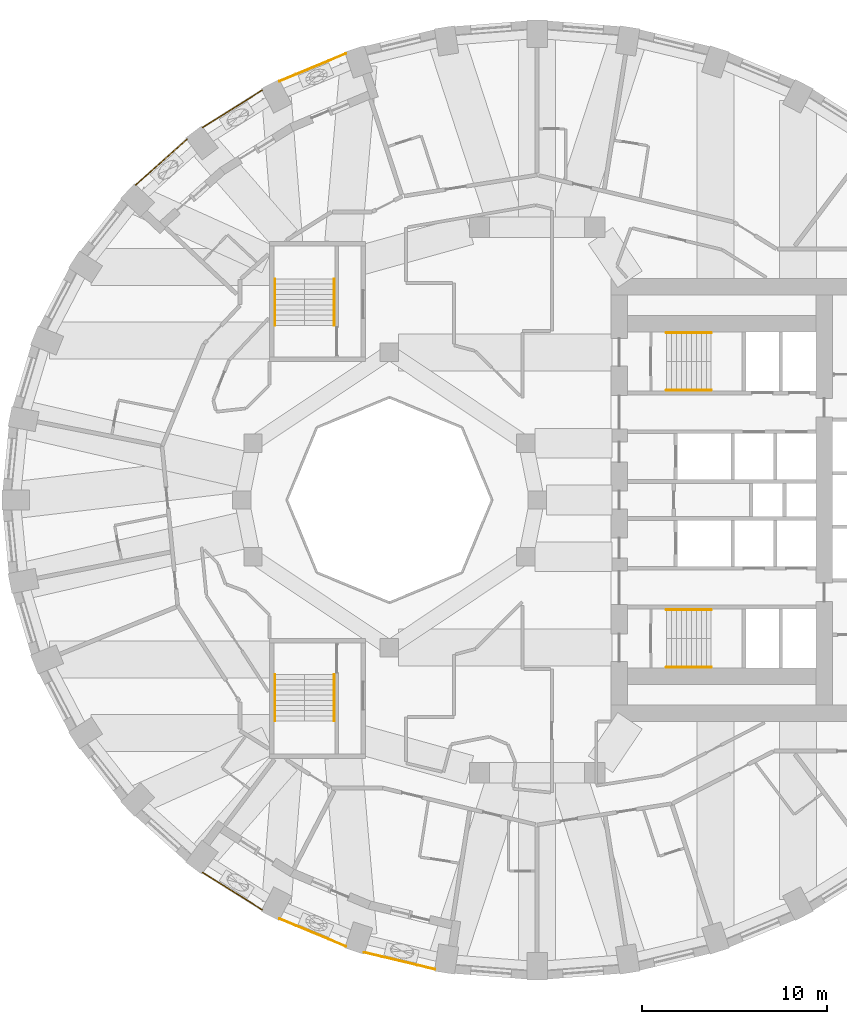
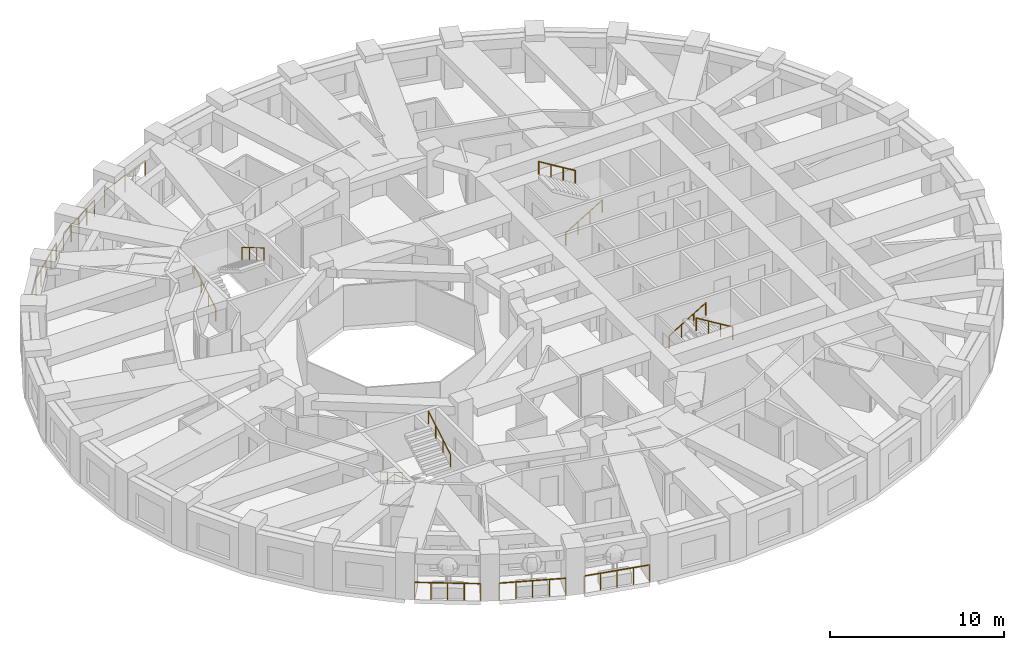
# One storey, part 11 of 13: 14 railings.
"""IFC4 building model written with IfcOpenShell, lengths in metres."""

from ifc_helpers import new_model, si_unit, direction, frame, origin, origin_2d, place, context, subcontext, project, spatial, circle, extrude, material, type_object, element, save


model = new_model("IFC4")

# Units and contexts
model_context = context("Model", 3, precision=1e-05, world=origin(), true_north=direction((0.0, 1.0)))
body_context = subcontext(model_context, "Body", "Model", "MODEL_VIEW")
ifc_project = project(units=[si_unit("LENGTHUNIT", "METRE"), si_unit("AREAUNIT", "SQUARE_METRE"), si_unit("VOLUMEUNIT", "CUBIC_METRE"), si_unit("PLANEANGLEUNIT", "RADIAN"), si_unit("MASSUNIT", "GRAM", prefix="KILO")], contexts=[model_context])

# Site, building, storey
site_placement = place(None, origin())
site = spatial("IfcSite", under=ifc_project, at=site_placement, CompositionType="ELEMENT")
building_placement = place(site_placement, origin())
building = spatial("IfcBuilding", under=site, at=building_placement, Name="Taillehof Tower", CompositionType="ELEMENT")
storey_placement = place(building_placement, frame((0.0, 0.0, 81.10009765625)))
storey = spatial("IfcBuildingStorey", under=building, at=storey_placement, Name="L22", CompositionType="ELEMENT", Elevation=81.10009765625)

# Railings
ifc_material_1 = material(Name="Stainless steel balustrade", Category="steel")
railing_type_1 = type_object("IfcRailingType", Name="Balcony guard 1200", PredefinedType="GUARDRAIL", material=ifc_material_1)
railing_1_placement = place(storey_placement, frame((-10.366943359375, 24.178466796875, 0.0)))
element("IfcRailing", 1, at=railing_1_placement, inside=storey, type_object=railing_type_1, Name="Balcony guard L22 bay 12", PredefinedType="GUARDRAIL", context=body_context, shape_type="SweptSolid", body=[
    extrude(circle(Radius=0.02392578125, at=origin_2d()), frame((0.0, 0.0, 1.17578125), z_axis=(-0.923011806559, -0.384771627011, 0.0), x_axis=(0.384771627011, -0.923011806559, 0.0)), (0.0, 0.0, 1.0), 3.88330078125),
    extrude(circle(Radius=0.02099609375, at=origin_2d()), origin(), (0.0, 0.0, 1.0), 1.15185546875),
    extrude(circle(Radius=0.02099609375, at=origin_2d()), frame((-0.89599609375, -0.37353515625, 0.0)), (0.0, 0.0, 1.0), 1.15185546875),
    extrude(circle(Radius=0.02099609375, at=origin_2d()), frame((-1.7919921875, -0.7470703125, 0.0)), (0.0, 0.0, 1.0), 1.15185546875),
    extrude(circle(Radius=0.02099609375, at=origin_2d()), frame((-2.688232421875, -1.12060546875, 0.0)), (0.0, 0.0, 1.0), 1.15185546875),
    extrude(circle(Radius=0.02099609375, at=origin_2d()), frame((-3.584228515625, -1.494140625, 0.0)), (0.0, 0.0, 1.0), 1.15185546875),
])
railing_2_placement = place(storey_placement, frame((-14.892822265625, 22.197509765625, 0.0)))
element("IfcRailing", 2, at=railing_2_placement, inside=storey, type_object=railing_type_1, Name="Balcony guard L22 bay 13", PredefinedType="GUARDRAIL", context=body_context, shape_type="SweptSolid", body=[
    extrude(circle(Radius=0.02392578125, at=origin_2d()), frame((0.0, 0.0, 1.17578125), z_axis=(-0.847656150947, -0.530545992127, 0.0), x_axis=(0.530545992127, -0.847656150947, 0.0)), (0.0, 0.0, 1.0), 3.810302734375),
    extrude(circle(Radius=0.02099609375, at=origin_2d()), origin(), (0.0, 0.0, 1.0), 1.15185546875),
    extrude(circle(Radius=0.02099609375, at=origin_2d()), frame((-0.807373046875, -0.50537109375, 0.0)), (0.0, 0.0, 1.0), 1.15185546875),
    extrude(circle(Radius=0.02099609375, at=origin_2d()), frame((-1.61474609375, -1.0107421875, 0.0)), (0.0, 0.0, 1.0), 1.15185546875),
    extrude(circle(Radius=0.02099609375, at=origin_2d()), frame((-2.42236328125, -1.51611328125, 0.0)), (0.0, 0.0, 1.0), 1.15185546875),
    extrude(circle(Radius=0.02099609375, at=origin_2d()), frame((-3.229736328125, -2.021484375, 0.0)), (0.0, 0.0, 1.0), 1.15185546875),
])
railing_3_placement = place(storey_placement, frame((-18.969970703125, 19.539306640625, 0.0)))
element("IfcRailing", 3, at=railing_3_placement, inside=storey, type_object=railing_type_1, Name="Balcony guard L22 bay 14", PredefinedType="GUARDRAIL", context=body_context, shape_type="SweptSolid", body=[
    extrude(circle(Radius=0.02392578125, at=origin_2d()), frame((0.0, 0.0, 1.17578125), z_axis=(-0.745548021299, -0.666451909696, 0.0), x_axis=(0.666451909696, -0.745548021299, 0.0)), (0.0, 0.0, 1.0), 3.7255859375),
    extrude(circle(Radius=0.02099609375, at=origin_2d()), origin(), (0.0, 0.0, 1.0), 1.15185546875),
    extrude(circle(Radius=0.02099609375, at=origin_2d()), frame((-0.6943359375, -0.62060546875, 0.0)), (0.0, 0.0, 1.0), 1.15185546875),
    extrude(circle(Radius=0.02099609375, at=origin_2d()), frame((-1.388671875, -1.241455078125, 0.0)), (0.0, 0.0, 1.0), 1.15185546875),
    extrude(circle(Radius=0.02099609375, at=origin_2d()), frame((-2.083251953125, -1.8623046875, 0.0)), (0.0, 0.0, 1.0), 1.15185546875),
    extrude(circle(Radius=0.02099609375, at=origin_2d()), frame((-2.777587890625, -2.48291015625, 0.0)), (0.0, 0.0, 1.0), 1.15185546875),
])
railing_4_placement = place(storey_placement, frame((-18.12255859375, -20.176025390625, 0.0)))
element("IfcRailing", 4, at=railing_4_placement, inside=storey, type_object=railing_type_1, Name="Balcony guard L22 bay 24", PredefinedType="GUARDRAIL", context=body_context, shape_type="SweptSolid", body=[
    extrude(circle(Radius=0.02392578125, at=origin_2d()), frame((0.0, 0.0, 1.17578125), z_axis=(0.847656150947, -0.530545992127, 0.0), x_axis=(0.530545992127, 0.847656150947, 0.0)), (0.0, 0.0, 1.0), 3.810302734375),
    extrude(circle(Radius=0.02099609375, at=origin_2d()), origin(), (0.0, 0.0, 1.0), 1.15185546875),
    extrude(circle(Radius=0.02099609375, at=origin_2d()), frame((0.807373046875, -0.50537109375, 0.0)), (0.0, 0.0, 1.0), 1.15185546875),
    extrude(circle(Radius=0.02099609375, at=origin_2d()), frame((1.61474609375, -1.0107421875, 0.0)), (0.0, 0.0, 1.0), 1.15185546875),
    extrude(circle(Radius=0.02099609375, at=origin_2d()), frame((2.42236328125, -1.51611328125, 0.0)), (0.0, 0.0, 1.0), 1.15185546875),
    extrude(circle(Radius=0.02099609375, at=origin_2d()), frame((3.229736328125, -2.021484375, 0.0)), (0.0, 0.0, 1.0), 1.15185546875),
])
railing_5_placement = place(storey_placement, frame((-13.951171875, -22.684326171875, 0.0)))
element("IfcRailing", 5, at=railing_5_placement, inside=storey, type_object=railing_type_1, Name="Balcony guard L22 bay 25", PredefinedType="GUARDRAIL", context=body_context, shape_type="SweptSolid", body=[
    extrude(circle(Radius=0.02392578125, at=origin_2d()), frame((0.0, 0.0, 1.17578125), z_axis=(0.923011806559, -0.384771627011, 0.0), x_axis=(0.384771627011, 0.923011806559, 0.0)), (0.0, 0.0, 1.0), 3.88330078125),
    extrude(circle(Radius=0.02099609375, at=origin_2d()), origin(), (0.0, 0.0, 1.0), 1.15185546875),
    extrude(circle(Radius=0.02099609375, at=origin_2d()), frame((0.89599609375, -0.37353515625, 0.0)), (0.0, 0.0, 1.0), 1.15185546875),
    extrude(circle(Radius=0.02099609375, at=origin_2d()), frame((1.7919921875, -0.7470703125, 0.0)), (0.0, 0.0, 1.0), 1.15185546875),
    extrude(circle(Radius=0.02099609375, at=origin_2d()), frame((2.688232421875, -1.12060546875, 0.0)), (0.0, 0.0, 1.0), 1.15185546875),
    extrude(circle(Radius=0.02099609375, at=origin_2d()), frame((3.584228515625, -1.494140625, 0.0)), (0.0, 0.0, 1.0), 1.15185546875),
])
railing_6_placement = place(storey_placement, frame((-9.35888671875, -24.5068359375, 0.0)))
element("IfcRailing", 6, at=railing_6_placement, inside=storey, type_object=railing_type_1, Name="Balcony guard L22 bay 26", PredefinedType="GUARDRAIL", context=body_context, shape_type="SweptSolid", body=[
    extrude(circle(Radius=0.02392578125, at=origin_2d()), frame((0.0, 0.0, 1.17578125), z_axis=(0.972495275648, -0.232922602687, 0.0), x_axis=(0.232922602687, 0.972495275648, 0.0)), (0.0, 0.0, 1.0), 3.93701171875),
    extrude(circle(Radius=0.02099609375, at=origin_2d()), origin(), (0.0, 0.0, 1.0), 1.15185546875),
    extrude(circle(Radius=0.02099609375, at=origin_2d()), frame((0.95703125, -0.229248046875, 0.0)), (0.0, 0.0, 1.0), 1.15185546875),
    extrude(circle(Radius=0.02099609375, at=origin_2d()), frame((1.914306640625, -0.45849609375, 0.0)), (0.0, 0.0, 1.0), 1.15185546875),
    extrude(circle(Radius=0.02099609375, at=origin_2d()), frame((2.87158203125, -0.687744140625, 0.0)), (0.0, 0.0, 1.0), 1.15185546875),
    extrude(circle(Radius=0.02099609375, at=origin_2d()), frame((3.82861328125, -0.9169921875, 0.0)), (0.0, 0.0, 1.0), 1.15185546875),
])
ifc_material_2 = material(Name="Stainless steel", Category="steel")
railing_type_2 = type_object("IfcRailingType", Name="Stair handrail 900", PredefinedType="HANDRAIL", material=ifc_material_2)
railing_7_placement = place(storey_placement, frame((7.0, 5.949951171875, 0.164794921875)))
element("IfcRailing", 7, at=railing_7_placement, inside=storey, type_object=railing_type_2, Name="Stair S1 handrail", PredefinedType="HANDRAIL", context=body_context, shape_type="SweptSolid", body=[
    extrude(circle(Radius=0.02392578125, at=origin_2d()), frame((0.0, 0.0, 0.8759765625), z_axis=(0.853258522278, 0.0, 0.521488153423), x_axis=(0.0, 1.0, 0.0)), (0.0, 0.0, 1.0), 2.847900390625),
    extrude(circle(Radius=0.02099609375, at=origin_2d()), origin(), (0.0, 0.0, 1.0), 0.851806640625),
    extrude(circle(Radius=0.02099609375, at=origin_2d()), frame((0.81005859375, 0.0, 0.4951171875)), (0.0, 0.0, 1.0), 0.851806640625),
    extrude(circle(Radius=0.02099609375, at=origin_2d()), frame((1.619873046875, 0.0, 0.989990234375)), (0.0, 0.0, 1.0), 0.851806640625),
    extrude(circle(Radius=0.02099609375, at=origin_2d()), frame((2.429931640625, 0.0, 1.485107421875)), (0.0, 0.0, 1.0), 0.851806640625),
])
railing_8_placement = place(storey_placement, frame((9.429931640625, 9.050048828125, 1.81494140625)))
element("IfcRailing", 8, at=railing_8_placement, inside=storey, type_object=railing_type_2, Name="Stair S1 handrail", PredefinedType="HANDRAIL", context=body_context, shape_type="SweptSolid", body=[
    extrude(circle(Radius=0.02392578125, at=origin_2d()), frame((0.0, 0.0, 0.8759765625), z_axis=(-0.853296667938, 0.0, 0.521425734392), x_axis=(0.0, -1.0, 0.0)), (0.0, 0.0, 1.0), 2.84765625),
    extrude(circle(Radius=0.02099609375, at=origin_2d()), origin(), (0.0, 0.0, 1.0), 0.851806640625),
    extrude(circle(Radius=0.02099609375, at=origin_2d()), frame((-0.81005859375, 0.0, 0.494873046875)), (0.0, 0.0, 1.0), 0.851806640625),
    extrude(circle(Radius=0.02099609375, at=origin_2d()), frame((-1.619873046875, 0.0, 0.989990234375)), (0.0, 0.0, 1.0), 0.851806640625),
    extrude(circle(Radius=0.02099609375, at=origin_2d()), frame((-2.429931640625, 0.0, 1.48486328125)), (0.0, 0.0, 1.0), 0.851806640625),
])
railing_9_placement = place(storey_placement, frame((7.0, -5.949951171875, 0.164794921875)))
element("IfcRailing", 9, at=railing_9_placement, inside=storey, type_object=railing_type_2, Name="Stair S2 handrail", PredefinedType="HANDRAIL", context=body_context, shape_type="SweptSolid", body=[
    extrude(circle(Radius=0.02392578125, at=origin_2d()), frame((0.0, 0.0, 0.8759765625), z_axis=(0.853258522278, 0.0, 0.521488153423), x_axis=(0.0, 1.0, 0.0)), (0.0, 0.0, 1.0), 2.847900390625),
    extrude(circle(Radius=0.02099609375, at=origin_2d()), origin(), (0.0, 0.0, 1.0), 0.851806640625),
    extrude(circle(Radius=0.02099609375, at=origin_2d()), frame((0.81005859375, 0.0, 0.4951171875)), (0.0, 0.0, 1.0), 0.851806640625),
    extrude(circle(Radius=0.02099609375, at=origin_2d()), frame((1.619873046875, 0.0, 0.989990234375)), (0.0, 0.0, 1.0), 0.851806640625),
    extrude(circle(Radius=0.02099609375, at=origin_2d()), frame((2.429931640625, 0.0, 1.485107421875)), (0.0, 0.0, 1.0), 0.851806640625),
])
railing_10_placement = place(storey_placement, frame((9.429931640625, -9.050048828125, 1.81494140625)))
element("IfcRailing", 10, at=railing_10_placement, inside=storey, type_object=railing_type_2, Name="Stair S2 handrail", PredefinedType="HANDRAIL", context=body_context, shape_type="SweptSolid", body=[
    extrude(circle(Radius=0.02392578125, at=origin_2d()), frame((0.0, 0.0, 0.8759765625), z_axis=(-0.853296667938, 0.0, 0.521425734392), x_axis=(0.0, -1.0, 0.0)), (0.0, 0.0, 1.0), 2.84765625),
    extrude(circle(Radius=0.02099609375, at=origin_2d()), origin(), (0.0, 0.0, 1.0), 0.851806640625),
    extrude(circle(Radius=0.02099609375, at=origin_2d()), frame((-0.81005859375, 0.0, 0.494873046875)), (0.0, 0.0, 1.0), 0.851806640625),
    extrude(circle(Radius=0.02099609375, at=origin_2d()), frame((-1.619873046875, 0.0, 0.989990234375)), (0.0, 0.0, 1.0), 0.851806640625),
    extrude(circle(Radius=0.02099609375, at=origin_2d()), frame((-2.429931640625, 0.0, 1.48486328125)), (0.0, 0.0, 1.0), 0.851806640625),
])
railing_11_placement = place(storey_placement, frame((-14.199951171875, 9.449951171875, 0.164794921875)))
element("IfcRailing", 11, at=railing_11_placement, inside=storey, type_object=railing_type_2, Name="Stair S3 handrail", PredefinedType="HANDRAIL", context=body_context, shape_type="SweptSolid", body=[
    extrude(circle(Radius=0.02392578125, at=origin_2d()), frame((0.0, 0.0, 0.8759765625), z_axis=(0.0, 0.86152411907, 0.507716645641), x_axis=(-1.0, 0.0, 0.0)), (0.0, 0.0, 1.0), 2.925048828125),
    extrude(circle(Radius=0.02099609375, at=origin_2d()), origin(), (0.0, 0.0, 1.0), 0.851806640625),
    extrude(circle(Radius=0.02099609375, at=origin_2d()), frame((0.0, 0.840087890625, 0.4951171875)), (0.0, 0.0, 1.0), 0.851806640625),
    extrude(circle(Radius=0.02099609375, at=origin_2d()), frame((0.0, 1.679931640625, 0.989990234375)), (0.0, 0.0, 1.0), 0.851806640625),
    extrude(circle(Radius=0.02099609375, at=origin_2d()), frame((0.0, 2.52001953125, 1.485107421875)), (0.0, 0.0, 1.0), 0.851806640625),
])
railing_12_placement = place(storey_placement, frame((-11.0, 11.969970703125, 1.81494140625)))
element("IfcRailing", 12, at=railing_12_placement, inside=storey, type_object=railing_type_2, Name="Stair S3 handrail", PredefinedType="HANDRAIL", context=body_context, shape_type="SweptSolid", body=[
    extrude(circle(Radius=0.02392578125, at=origin_2d()), frame((0.0, 0.0, 0.8759765625), z_axis=(0.0, -0.861560626758, 0.507654692109), x_axis=(1.0, 0.0, 0.0)), (0.0, 0.0, 1.0), 2.925048828125),
    extrude(circle(Radius=0.02099609375, at=origin_2d()), origin(), (0.0, 0.0, 1.0), 0.851806640625),
    extrude(circle(Radius=0.02099609375, at=origin_2d()), frame((0.0, -0.840087890625, 0.494873046875)), (0.0, 0.0, 1.0), 0.851806640625),
    extrude(circle(Radius=0.02099609375, at=origin_2d()), frame((0.0, -1.679931640625, 0.989990234375)), (0.0, 0.0, 1.0), 0.851806640625),
    extrude(circle(Radius=0.02099609375, at=origin_2d()), frame((0.0, -2.52001953125, 1.48486328125)), (0.0, 0.0, 1.0), 0.851806640625),
])
railing_13_placement = place(storey_placement, frame((-14.199951171875, -9.449951171875, 0.164794921875)))
element("IfcRailing", 13, at=railing_13_placement, inside=storey, type_object=railing_type_2, Name="Stair S4 handrail", PredefinedType="HANDRAIL", context=body_context, shape_type="SweptSolid", body=[
    extrude(circle(Radius=0.02392578125, at=origin_2d()), frame((0.0, 0.0, 0.8759765625), z_axis=(0.0, -0.86152411907, 0.507716645641), x_axis=(1.0, 0.0, 0.0)), (0.0, 0.0, 1.0), 2.925048828125),
    extrude(circle(Radius=0.02099609375, at=origin_2d()), origin(), (0.0, 0.0, 1.0), 0.851806640625),
    extrude(circle(Radius=0.02099609375, at=origin_2d()), frame((0.0, -0.840087890625, 0.4951171875)), (0.0, 0.0, 1.0), 0.851806640625),
    extrude(circle(Radius=0.02099609375, at=origin_2d()), frame((0.0, -1.679931640625, 0.989990234375)), (0.0, 0.0, 1.0), 0.851806640625),
    extrude(circle(Radius=0.02099609375, at=origin_2d()), frame((0.0, -2.52001953125, 1.485107421875)), (0.0, 0.0, 1.0), 0.851806640625),
])
railing_14_placement = place(storey_placement, frame((-11.0, -11.969970703125, 1.81494140625)))
element("IfcRailing", 14, at=railing_14_placement, inside=storey, type_object=railing_type_2, Name="Stair S4 handrail", PredefinedType="HANDRAIL", context=body_context, shape_type="SweptSolid", body=[
    extrude(circle(Radius=0.02392578125, at=origin_2d()), frame((0.0, 0.0, 0.8759765625), z_axis=(0.0, 0.861560626758, 0.507654692109), x_axis=(-1.0, 0.0, 0.0)), (0.0, 0.0, 1.0), 2.925048828125),
    extrude(circle(Radius=0.02099609375, at=origin_2d()), origin(), (0.0, 0.0, 1.0), 0.851806640625),
    extrude(circle(Radius=0.02099609375, at=origin_2d()), frame((0.0, 0.840087890625, 0.494873046875)), (0.0, 0.0, 1.0), 0.851806640625),
    extrude(circle(Radius=0.02099609375, at=origin_2d()), frame((0.0, 1.679931640625, 0.989990234375)), (0.0, 0.0, 1.0), 0.851806640625),
    extrude(circle(Radius=0.02099609375, at=origin_2d()), frame((0.0, 2.52001953125, 1.48486328125)), (0.0, 0.0, 1.0), 0.851806640625),
])

save(model, "model.ifc")
